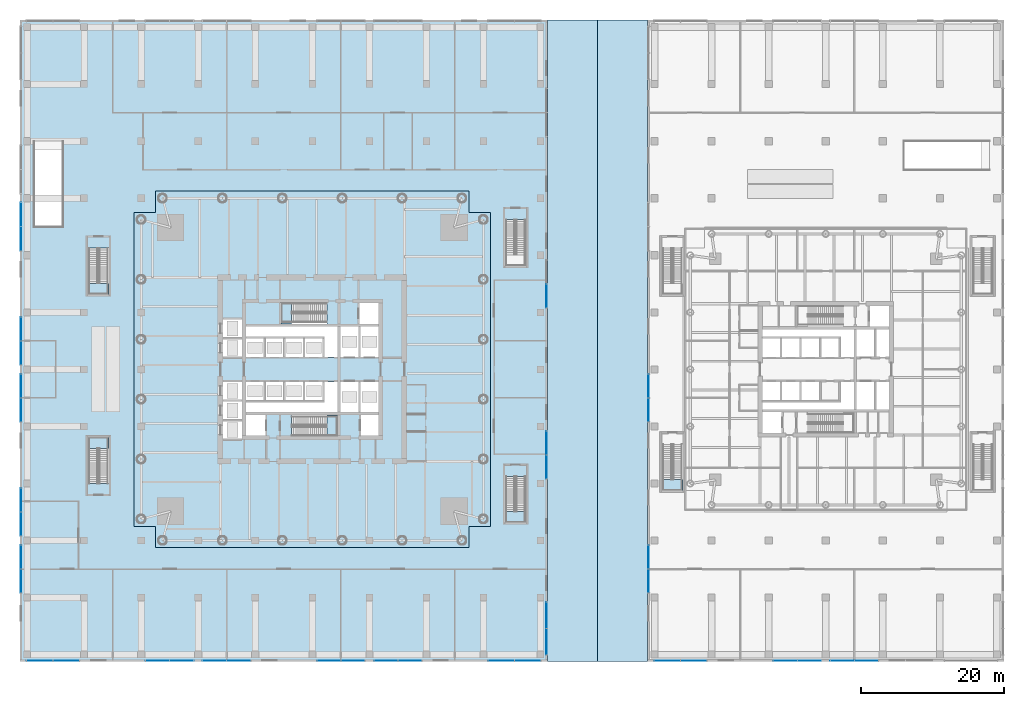
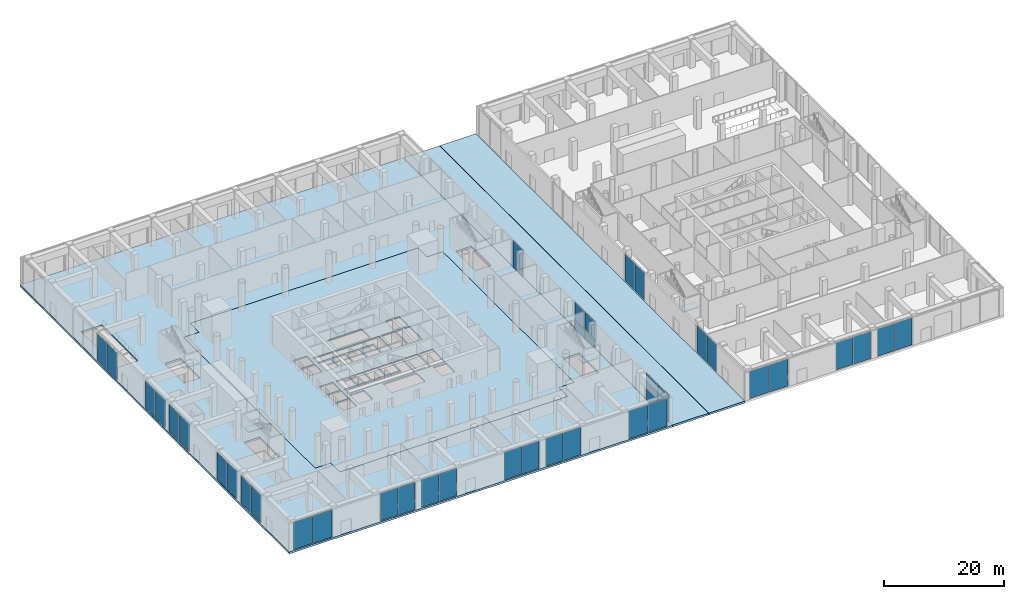
# One storey, part 21 of 39: 37 plates, 10 slabs, 25 elements without a shape of their own.
"""IFC4 building model written with IfcOpenShell, lengths in metres."""

from ifc_helpers import new_model, si_unit, direction, frame, origin, origin_2d, place, context, subcontext, project, spatial, polyline, rectangle, outline, extrude, material, layer, layer_set, type_object, element, aggregate, save


model = new_model("IFC4")

# Units and contexts
model_context = context("Model", 3, precision=1e-05, world=origin(), true_north=direction((0.0, 1.0)))
body_context = subcontext(model_context, "Body", "Model", "MODEL_VIEW")
ifc_project = project(units=[si_unit("LENGTHUNIT", "METRE"), si_unit("AREAUNIT", "SQUARE_METRE"), si_unit("VOLUMEUNIT", "CUBIC_METRE"), si_unit("PLANEANGLEUNIT", "RADIAN"), si_unit("MASSUNIT", "GRAM", prefix="KILO")], contexts=[model_context])

# Site, building, storey
site_placement = place(None, origin())
site = spatial("IfcSite", under=ifc_project, at=site_placement, CompositionType="ELEMENT")
building_placement = place(site_placement, origin())
building = spatial("IfcBuilding", under=site, at=building_placement, Name="Ostroluk Exchange", CompositionType="ELEMENT")
storey_placement = place(building_placement, origin())
storey = spatial("IfcBuildingStorey", under=building, at=storey_placement, Name="L00", CompositionType="ELEMENT", Elevation=0.0)

# Slab
ifc_material_1 = material(Name="Concrete C35/45", Category="concrete")
ifc_layer_1 = layer(ifc_material_1, 0.39990234375)
ifc_layer_set_1 = layer_set([ifc_layer_1], Name="Podium flat slab 400")
slab_type_1 = type_object("IfcSlabType", Name="Podium flat slab 400", PredefinedType="FLOOR", material=ifc_layer_set_1)
slab_1_placement = place(storey_placement, frame((0.0, 0.0, -0.39990234375)))
element("IfcSlab", 1, at=slab_1_placement, inside=storey, type_object=slab_type_1, Name="Podium slab L00", PredefinedType="FLOOR", context=body_context, shape_type="SweptSolid", body=[
    extrude(outline(polyline([(78.0, 95.0), (78.0, 5.0), (4.0, 5.0), (4.0, 95.0), (78.0, 95.0)]), holes=[polyline([(70.0, 24.0), (70.0, 68.0), (67.0, 68.0), (67.0, 71.0), (23.0, 71.0), (23.0, 68.0), (20.0, 68.0), (20.0, 24.0), (23.0, 24.0), (23.0, 21.0), (67.0, 21.0), (67.0, 24.0), (70.0, 24.0)]), polyline([(16.5, 36.5), (13.5, 36.5), (13.5, 30.010009765625), (16.5, 30.010009765625), (16.5, 36.5)]), polyline([(16.5, 56.5), (16.5, 62.989990234375), (13.5, 62.989990234375), (13.5, 56.5), (16.5, 56.5)]), polyline([(72.0, 24.5), (75.0, 24.5), (75.0, 30.989990234375), (72.0, 30.989990234375), (72.0, 24.5)]), polyline([(72.0, 66.989990234375), (72.0, 60.5), (75.0, 60.5), (75.0, 66.989990234375), (72.0, 66.989990234375)]), polyline([(10.0, 78.0), (6.0, 78.0), (6.0, 66.0), (10.0, 66.0), (10.0, 78.0)])]), origin(), (0.0, 0.0, 1.0), 0.39990234375),
])

# Stair, slab
ifc_material_2 = material(Name="Concrete C30/37", Category="concrete")
stair_type = type_object("IfcStairType", Name="Exit stair half turn 6000", PredefinedType="HALF_TURN_STAIR", material=ifc_material_2)
stair_1_placement = place(storey_placement, origin())
stair_1 = element("IfcStair", 2, at=stair_1_placement, inside=storey, type_object=stair_type, Name="Stair T1-S1 L00", PredefinedType="HALF_TURN_STAIR")
ifc_material_3 = material(Name="Concrete C30/37", Category="concrete")
ifc_layer_2 = layer(ifc_material_3, 0.199951171875)
ifc_layer_set_2 = layer_set([ifc_layer_2], Name="Stair landing 200")
slab_type_2 = type_object("IfcSlabType", Name="Stair landing 200", PredefinedType="LANDING", material=ifc_layer_set_2)
slab_2_placement = place(storey_placement, frame((0.0, 0.0, 2.800048828125)))
slab_2 = element("IfcSlab", 3, at=slab_2_placement, type_object=slab_type_2, Name="T1-S1 landing 1", PredefinedType="LANDING", context=body_context, shape_type="SweptSolid", body=[
    extrude(outline(polyline([(47.030029296875, 36.699951171875), (47.030029296875, 39.60009765625), (48.530029296875, 39.60009765625), (48.530029296875, 36.699951171875), (47.030029296875, 36.699951171875)])), origin(), (0.0, 0.0, 1.0), 0.199951171875),
])
aggregate(stair_1, [slab_2])

stair_2_placement = place(storey_placement, origin())
stair_2 = element("IfcStair", 4, at=stair_2_placement, inside=storey, type_object=stair_type, Name="Stair T1-S2 L00", PredefinedType="HALF_TURN_STAIR")
slab_3_placement = place(storey_placement, frame((0.0, 0.0, 2.800048828125)))
slab_3 = element("IfcSlab", 5, at=slab_3_placement, type_object=slab_type_2, Name="T1-S2 landing 1", PredefinedType="LANDING", context=body_context, shape_type="SweptSolid", body=[
    extrude(outline(polyline([(42.10009765625, 52.39990234375), (42.10009765625, 55.300048828125), (40.60009765625, 55.300048828125), (40.60009765625, 52.39990234375), (42.10009765625, 52.39990234375)])), origin(), (0.0, 0.0, 1.0), 0.199951171875),
])
aggregate(stair_2, [slab_3])

stair_3_placement = place(storey_placement, origin())
stair_3 = element("IfcStair", 6, at=stair_3_placement, inside=storey, type_object=stair_type, Name="Stair PS1 L00", PredefinedType="HALF_TURN_STAIR")
slab_4_placement = place(storey_placement, frame((0.0, 0.0, 2.800048828125)))
slab_4 = element("IfcSlab", 7, at=slab_4_placement, type_object=slab_type_2, Name="PS1 landing 1", PredefinedType="LANDING", context=body_context, shape_type="SweptSolid", body=[
    extrude(outline(polyline([(13.5, 34.929931640625), (16.5, 34.929931640625), (16.5, 36.5), (13.5, 36.5), (13.5, 34.929931640625)])), origin(), (0.0, 0.0, 1.0), 0.199951171875),
])
aggregate(stair_3, [slab_4])

stair_4_placement = place(storey_placement, origin())
stair_4 = element("IfcStair", 8, at=stair_4_placement, inside=storey, type_object=stair_type, Name="Stair PS2 L00", PredefinedType="HALF_TURN_STAIR")
slab_5_placement = place(storey_placement, frame((0.0, 0.0, 2.800048828125)))
slab_5 = element("IfcSlab", 9, at=slab_5_placement, type_object=slab_type_2, Name="PS2 landing 1", PredefinedType="LANDING", context=body_context, shape_type="SweptSolid", body=[
    extrude(outline(polyline([(13.5, 58.070068359375), (16.5, 58.070068359375), (16.5, 56.5), (13.5, 56.5), (13.5, 58.070068359375)])), origin(), (0.0, 0.0, 1.0), 0.199951171875),
])
aggregate(stair_4, [slab_5])

stair_5_placement = place(storey_placement, origin())
stair_5 = element("IfcStair", 10, at=stair_5_placement, inside=storey, type_object=stair_type, Name="Stair PS3 L00", PredefinedType="HALF_TURN_STAIR")
slab_6_placement = place(storey_placement, frame((0.0, 0.0, 2.800048828125)))
slab_6 = element("IfcSlab", 11, at=slab_6_placement, type_object=slab_type_2, Name="PS3 landing 1", PredefinedType="LANDING", context=body_context, shape_type="SweptSolid", body=[
    extrude(outline(polyline([(72.0, 26.070068359375), (75.0, 26.070068359375), (75.0, 24.5), (72.0, 24.5), (72.0, 26.070068359375)])), origin(), (0.0, 0.0, 1.0), 0.199951171875),
])
aggregate(stair_5, [slab_6])

stair_6_placement = place(storey_placement, origin())
stair_6 = element("IfcStair", 12, at=stair_6_placement, inside=storey, type_object=stair_type, Name="Stair PS5 L00", PredefinedType="HALF_TURN_STAIR")
slab_7_placement = place(storey_placement, frame((0.0, 0.0, 2.800048828125)))
slab_7 = element("IfcSlab", 13, at=slab_7_placement, type_object=slab_type_2, Name="PS5 landing 1", PredefinedType="LANDING", context=body_context, shape_type="SweptSolid", body=[
    extrude(outline(polyline([(94.0, 30.570068359375), (97.0, 30.570068359375), (97.0, 29.0), (94.0, 29.0), (94.0, 30.570068359375)])), origin(), (0.0, 0.0, 1.0), 0.199951171875),
])
aggregate(stair_6, [slab_7])

# Slabs
ifc_material_4 = material(Name="Concrete C35/45", Category="concrete")
ifc_layer_3 = layer(ifc_material_4, 0.39990234375)
ifc_layer_set_3 = layer_set([ifc_layer_3], Name="Street deck slab 400")
slab_type_3 = type_object("IfcSlabType", Name="Street deck slab 400", PredefinedType="FLOOR", material=ifc_layer_set_3)
slab_8_placement = place(storey_placement, frame((0.0, 0.0, -0.39990234375)))
element("IfcSlab", 14, at=slab_8_placement, inside=storey, type_object=slab_type_3, Name="Pedestrian street deck west", PredefinedType="FLOOR", context=body_context, shape_type="SweptSolid", body=[
    extrude(outline(polyline([(78.0, 5.0), (84.97509765625, 5.0), (84.97509765625, 95.0), (78.0, 95.0), (78.0, 5.0)])), origin(), (0.0, 0.0, 1.0), 0.39990234375),
])
slab_9_placement = place(storey_placement, frame((0.0, 0.0, -0.39990234375)))
element("IfcSlab", 15, at=slab_9_placement, inside=storey, type_object=slab_type_3, Name="Pedestrian street deck east", PredefinedType="FLOOR", context=body_context, shape_type="SweptSolid", body=[
    extrude(outline(polyline([(85.02490234375, 5.0), (92.0, 5.0), (92.0, 95.0), (85.02490234375, 95.0), (85.02490234375, 5.0)])), origin(), (0.0, 0.0, 1.0), 0.39990234375),
])

# Curtain wall, plates
ifc_material_5 = material(Name="Laminated clear glass", Category="glass")
curtain_wall_type = type_object("IfcCurtainWallType", Name="Podium shopfront", PredefinedType="USERDEFINED", material=ifc_material_5)
curtain_wall_1_placement = place(storey_placement, origin())
curtain_wall_1 = element("IfcCurtainWall", 16, at=curtain_wall_1_placement, inside=storey, type_object=curtain_wall_type, Name="Podium west S shopfront 1", ObjectType="STICK SHOPFRONT", PredefinedType="USERDEFINED")
ifc_material_6 = material(Name="Laminated clear glass", Category="glass")
ifc_layer_4 = layer(ifc_material_6, 0.02392578125)
ifc_layer_set_4 = layer_set([ifc_layer_4], Name="Toughened laminated shopfront glass 24")
plate_type = type_object("IfcPlateType", Name="Toughened laminated shopfront glass 24", PredefinedType="CURTAIN_PANEL", material=ifc_layer_set_4)
plate_1_placement = place(storey_placement, frame((6.7900390625, 5.14990234375, 0.06005859375), z_axis=(0.0, 0.0, 1.0), x_axis=(1.0, 0.0, 0.0)))
plate_1 = element("IfcPlate", 17, at=plate_1_placement, type_object=plate_type, Name="CW-SF1 panel 1.1", PredefinedType="CURTAIN_PANEL", context=body_context, shape_type="SweptSolid", body=[
    extrude(rectangle(XDim=3.659912109375, YDim=0.02392578125, at=origin_2d()), origin(), (0.0, 0.0, 1.0), 5.580078125),
])
plate_2_placement = place(storey_placement, frame((10.510009765625, 5.14990234375, 0.06005859375), z_axis=(0.0, 0.0, 1.0), x_axis=(1.0, 0.0, 0.0)))
plate_2 = element("IfcPlate", 18, at=plate_2_placement, type_object=plate_type, Name="CW-SF1 panel 2.1", PredefinedType="CURTAIN_PANEL", context=body_context, shape_type="SweptSolid", body=[
    extrude(rectangle(XDim=3.659912109375, YDim=0.02392578125, at=origin_2d()), origin(), (0.0, 0.0, 1.0), 5.580078125),
])
aggregate(curtain_wall_1, [plate_1, plate_2])

curtain_wall_2_placement = place(storey_placement, origin())
curtain_wall_2 = element("IfcCurtainWall", 19, at=curtain_wall_2_placement, inside=storey, type_object=curtain_wall_type, Name="Podium west S shopfront 2", ObjectType="STICK SHOPFRONT", PredefinedType="USERDEFINED")
plate_3_placement = place(storey_placement, frame((23.31494140625, 5.14990234375, 0.06005859375), z_axis=(0.0, 0.0, 1.0), x_axis=(1.0, 0.0, 0.0)))
plate_3 = element("IfcPlate", 20, at=plate_3_placement, type_object=plate_type, Name="CW-SF1 panel 1.1", PredefinedType="CURTAIN_PANEL", context=body_context, shape_type="SweptSolid", body=[
    extrude(rectangle(XDim=3.31005859375, YDim=0.02392578125, at=origin_2d()), origin(), (0.0, 0.0, 1.0), 5.580078125),
])
plate_4_placement = place(storey_placement, frame((26.68505859375, 5.14990234375, 0.06005859375), z_axis=(0.0, 0.0, 1.0), x_axis=(1.0, 0.0, 0.0)))
plate_4 = element("IfcPlate", 21, at=plate_4_placement, type_object=plate_type, Name="CW-SF1 panel 2.1", PredefinedType="CURTAIN_PANEL", context=body_context, shape_type="SweptSolid", body=[
    extrude(rectangle(XDim=3.31005859375, YDim=0.02392578125, at=origin_2d()), origin(), (0.0, 0.0, 1.0), 5.580078125),
])
aggregate(curtain_wall_2, [plate_3, plate_4])

curtain_wall_3_placement = place(storey_placement, origin())
curtain_wall_3 = element("IfcCurtainWall", 22, at=curtain_wall_3_placement, inside=storey, type_object=curtain_wall_type, Name="Podium west S shopfront 3", ObjectType="STICK SHOPFRONT", PredefinedType="USERDEFINED")
plate_5_placement = place(storey_placement, frame((31.31494140625, 5.14990234375, 0.06005859375), z_axis=(0.0, 0.0, 1.0), x_axis=(1.0, 0.0, 0.0)))
plate_5 = element("IfcPlate", 23, at=plate_5_placement, type_object=plate_type, Name="CW-SF1 panel 1.1", PredefinedType="CURTAIN_PANEL", context=body_context, shape_type="SweptSolid", body=[
    extrude(rectangle(XDim=3.31005859375, YDim=0.02392578125, at=origin_2d()), origin(), (0.0, 0.0, 1.0), 5.580078125),
])
plate_6_placement = place(storey_placement, frame((34.68505859375, 5.14990234375, 0.06005859375), z_axis=(0.0, 0.0, 1.0), x_axis=(1.0, 0.0, 0.0)))
plate_6 = element("IfcPlate", 24, at=plate_6_placement, type_object=plate_type, Name="CW-SF1 panel 2.1", PredefinedType="CURTAIN_PANEL", context=body_context, shape_type="SweptSolid", body=[
    extrude(rectangle(XDim=3.31005859375, YDim=0.02392578125, at=origin_2d()), origin(), (0.0, 0.0, 1.0), 5.580078125),
])
aggregate(curtain_wall_3, [plate_5, plate_6])

curtain_wall_4_placement = place(storey_placement, origin())
curtain_wall_4 = element("IfcCurtainWall", 25, at=curtain_wall_4_placement, inside=storey, type_object=curtain_wall_type, Name="Podium west S shopfront 4", ObjectType="STICK SHOPFRONT", PredefinedType="USERDEFINED")
plate_7_placement = place(storey_placement, frame((47.31494140625, 5.14990234375, 0.06005859375), z_axis=(0.0, 0.0, 1.0), x_axis=(1.0, 0.0, 0.0)))
plate_7 = element("IfcPlate", 26, at=plate_7_placement, type_object=plate_type, Name="CW-SF1 panel 1.1", PredefinedType="CURTAIN_PANEL", context=body_context, shape_type="SweptSolid", body=[
    extrude(rectangle(XDim=3.31005859375, YDim=0.02392578125, at=origin_2d()), origin(), (0.0, 0.0, 1.0), 5.580078125),
])
plate_8_placement = place(storey_placement, frame((50.68505859375, 5.14990234375, 0.06005859375), z_axis=(0.0, 0.0, 1.0), x_axis=(1.0, 0.0, 0.0)))
plate_8 = element("IfcPlate", 27, at=plate_8_placement, type_object=plate_type, Name="CW-SF1 panel 2.1", PredefinedType="CURTAIN_PANEL", context=body_context, shape_type="SweptSolid", body=[
    extrude(rectangle(XDim=3.31005859375, YDim=0.02392578125, at=origin_2d()), origin(), (0.0, 0.0, 1.0), 5.580078125),
])
aggregate(curtain_wall_4, [plate_7, plate_8])

curtain_wall_5_placement = place(storey_placement, origin())
curtain_wall_5 = element("IfcCurtainWall", 28, at=curtain_wall_5_placement, inside=storey, type_object=curtain_wall_type, Name="Podium west S shopfront 5", ObjectType="STICK SHOPFRONT", PredefinedType="USERDEFINED")
plate_9_placement = place(storey_placement, frame((55.31494140625, 5.14990234375, 0.06005859375), z_axis=(0.0, 0.0, 1.0), x_axis=(1.0, 0.0, 0.0)))
plate_9 = element("IfcPlate", 29, at=plate_9_placement, type_object=plate_type, Name="CW-SF1 panel 1.1", PredefinedType="CURTAIN_PANEL", context=body_context, shape_type="SweptSolid", body=[
    extrude(rectangle(XDim=3.31005859375, YDim=0.02392578125, at=origin_2d()), origin(), (0.0, 0.0, 1.0), 5.580078125),
])
plate_10_placement = place(storey_placement, frame((58.68505859375, 5.14990234375, 0.06005859375), z_axis=(0.0, 0.0, 1.0), x_axis=(1.0, 0.0, 0.0)))
plate_10 = element("IfcPlate", 30, at=plate_10_placement, type_object=plate_type, Name="CW-SF1 panel 2.1", PredefinedType="CURTAIN_PANEL", context=body_context, shape_type="SweptSolid", body=[
    extrude(rectangle(XDim=3.31005859375, YDim=0.02392578125, at=origin_2d()), origin(), (0.0, 0.0, 1.0), 5.580078125),
])
aggregate(curtain_wall_5, [plate_9, plate_10])

curtain_wall_6_placement = place(storey_placement, origin())
curtain_wall_6 = element("IfcCurtainWall", 31, at=curtain_wall_6_placement, inside=storey, type_object=curtain_wall_type, Name="Podium west S shopfront 6", ObjectType="STICK SHOPFRONT", PredefinedType="USERDEFINED")
plate_11_placement = place(storey_placement, frame((71.489990234375, 5.14990234375, 0.06005859375), z_axis=(0.0, 0.0, 1.0), x_axis=(1.0, 0.0, 0.0)))
plate_11 = element("IfcPlate", 32, at=plate_11_placement, type_object=plate_type, Name="CW-SF1 panel 1.1", PredefinedType="CURTAIN_PANEL", context=body_context, shape_type="SweptSolid", body=[
    extrude(rectangle(XDim=3.659912109375, YDim=0.02392578125, at=origin_2d()), origin(), (0.0, 0.0, 1.0), 5.580078125),
])
plate_12_placement = place(storey_placement, frame((75.2099609375, 5.14990234375, 0.06005859375), z_axis=(0.0, 0.0, 1.0), x_axis=(1.0, 0.0, 0.0)))
plate_12 = element("IfcPlate", 33, at=plate_12_placement, type_object=plate_type, Name="CW-SF1 panel 2.1", PredefinedType="CURTAIN_PANEL", context=body_context, shape_type="SweptSolid", body=[
    extrude(rectangle(XDim=3.659912109375, YDim=0.02392578125, at=origin_2d()), origin(), (0.0, 0.0, 1.0), 5.580078125),
])
aggregate(curtain_wall_6, [plate_11, plate_12])

curtain_wall_7_placement = place(storey_placement, origin())
curtain_wall_7 = element("IfcCurtainWall", 34, at=curtain_wall_7_placement, inside=storey, type_object=curtain_wall_type, Name="Podium west E shopfront 1", ObjectType="STICK SHOPFRONT", PredefinedType="USERDEFINED")
plate_13_placement = place(storey_placement, frame((77.85009765625, 7.7900390625, 0.06005859375), z_axis=(0.0, 0.0, 1.0), x_axis=(0.0, 1.0, 0.0)))
plate_13 = element("IfcPlate", 35, at=plate_13_placement, type_object=plate_type, Name="CW-SF1 panel 1.1", PredefinedType="CURTAIN_PANEL", context=body_context, shape_type="SweptSolid", body=[
    extrude(rectangle(XDim=3.659912109375, YDim=0.02392578125, at=origin_2d()), origin(), (0.0, 0.0, 1.0), 5.580078125),
])
plate_14_placement = place(storey_placement, frame((77.85009765625, 11.510009765625, 0.06005859375), z_axis=(0.0, 0.0, 1.0), x_axis=(0.0, 1.0, 0.0)))
plate_14 = element("IfcPlate", 36, at=plate_14_placement, type_object=plate_type, Name="CW-SF1 panel 2.1", PredefinedType="CURTAIN_PANEL", context=body_context, shape_type="SweptSolid", body=[
    extrude(rectangle(XDim=3.659912109375, YDim=0.02392578125, at=origin_2d()), origin(), (0.0, 0.0, 1.0), 5.580078125),
])
aggregate(curtain_wall_7, [plate_13, plate_14])

curtain_wall_8_placement = place(storey_placement, origin())
curtain_wall_8 = element("IfcCurtainWall", 37, at=curtain_wall_8_placement, inside=storey, type_object=curtain_wall_type, Name="Podium west E shopfront 2", ObjectType="STICK SHOPFRONT", PredefinedType="USERDEFINED")
plate_15_placement = place(storey_placement, frame((77.85009765625, 32.31494140625, 0.06005859375), z_axis=(0.0, 0.0, 1.0), x_axis=(0.0, 1.0, 0.0)))
plate_15 = element("IfcPlate", 38, at=plate_15_placement, type_object=plate_type, Name="CW-SF1 panel 1.1", PredefinedType="CURTAIN_PANEL", context=body_context, shape_type="SweptSolid", body=[
    extrude(rectangle(XDim=3.31005859375, YDim=0.02392578125, at=origin_2d()), origin(), (0.0, 0.0, 1.0), 5.580078125),
])
plate_16_placement = place(storey_placement, frame((77.85009765625, 35.68505859375, 0.06005859375), z_axis=(0.0, 0.0, 1.0), x_axis=(0.0, 1.0, 0.0)))
plate_16 = element("IfcPlate", 39, at=plate_16_placement, type_object=plate_type, Name="CW-SF1 panel 2.1", PredefinedType="CURTAIN_PANEL", context=body_context, shape_type="SweptSolid", body=[
    extrude(rectangle(XDim=3.31005859375, YDim=0.02392578125, at=origin_2d()), origin(), (0.0, 0.0, 1.0), 5.580078125),
])
aggregate(curtain_wall_8, [plate_15, plate_16])

# Curtain wall, plate
curtain_wall_9_placement = place(storey_placement, origin())
curtain_wall_9 = element("IfcCurtainWall", 40, at=curtain_wall_9_placement, inside=storey, type_object=curtain_wall_type, Name="Podium west E shopfront 3", ObjectType="STICK SHOPFRONT", PredefinedType="USERDEFINED")
plate_17_placement = place(storey_placement, frame((77.85009765625, 56.31494140625, 0.06005859375), z_axis=(0.0, 0.0, 1.0), x_axis=(0.0, 1.0, 0.0)))
plate_17 = element("IfcPlate", 41, at=plate_17_placement, type_object=plate_type, Name="CW-SF1 panel 1.1", PredefinedType="CURTAIN_PANEL", context=body_context, shape_type="SweptSolid", body=[
    extrude(rectangle(XDim=3.31005859375, YDim=0.02392578125, at=origin_2d()), origin(), (0.0, 0.0, 1.0), 5.580078125),
])
aggregate(curtain_wall_9, [plate_17])

# Curtain wall, plates
curtain_wall_10_placement = place(storey_placement, origin())
curtain_wall_10 = element("IfcCurtainWall", 42, at=curtain_wall_10_placement, inside=storey, type_object=curtain_wall_type, Name="Podium west W shopfront 3", ObjectType="STICK SHOPFRONT", PredefinedType="USERDEFINED")
plate_18_placement = place(storey_placement, frame((4.14990234375, 67.68505859375, 0.06005859375), z_axis=(0.0, 0.0, 1.0), x_axis=(0.0, -1.0, 0.0)))
plate_18 = element("IfcPlate", 43, at=plate_18_placement, type_object=plate_type, Name="CW-SF1 panel 1.1", PredefinedType="CURTAIN_PANEL", context=body_context, shape_type="SweptSolid", body=[
    extrude(rectangle(XDim=3.31005859375, YDim=0.02392578125, at=origin_2d()), origin(), (0.0, 0.0, 1.0), 5.580078125),
])
plate_19_placement = place(storey_placement, frame((4.14990234375, 64.31494140625, 0.06005859375), z_axis=(0.0, 0.0, 1.0), x_axis=(0.0, -1.0, 0.0)))
plate_19 = element("IfcPlate", 44, at=plate_19_placement, type_object=plate_type, Name="CW-SF1 panel 2.1", PredefinedType="CURTAIN_PANEL", context=body_context, shape_type="SweptSolid", body=[
    extrude(rectangle(XDim=3.31005859375, YDim=0.02392578125, at=origin_2d()), origin(), (0.0, 0.0, 1.0), 5.580078125),
])
aggregate(curtain_wall_10, [plate_18, plate_19])

curtain_wall_11_placement = place(storey_placement, origin())
curtain_wall_11 = element("IfcCurtainWall", 45, at=curtain_wall_11_placement, inside=storey, type_object=curtain_wall_type, Name="Podium west W shopfront 4", ObjectType="STICK SHOPFRONT", PredefinedType="USERDEFINED")
plate_20_placement = place(storey_placement, frame((4.14990234375, 51.68505859375, 0.06005859375), z_axis=(0.0, 0.0, 1.0), x_axis=(0.0, -1.0, 0.0)))
plate_20 = element("IfcPlate", 46, at=plate_20_placement, type_object=plate_type, Name="CW-SF1 panel 1.1", PredefinedType="CURTAIN_PANEL", context=body_context, shape_type="SweptSolid", body=[
    extrude(rectangle(XDim=3.31005859375, YDim=0.02392578125, at=origin_2d()), origin(), (0.0, 0.0, 1.0), 5.580078125),
])
plate_21_placement = place(storey_placement, frame((4.14990234375, 48.31494140625, 0.06005859375), z_axis=(0.0, 0.0, 1.0), x_axis=(0.0, -1.0, 0.0)))
plate_21 = element("IfcPlate", 47, at=plate_21_placement, type_object=plate_type, Name="CW-SF1 panel 2.1", PredefinedType="CURTAIN_PANEL", context=body_context, shape_type="SweptSolid", body=[
    extrude(rectangle(XDim=3.31005859375, YDim=0.02392578125, at=origin_2d()), origin(), (0.0, 0.0, 1.0), 5.580078125),
])
aggregate(curtain_wall_11, [plate_20, plate_21])

curtain_wall_12_placement = place(storey_placement, origin())
curtain_wall_12 = element("IfcCurtainWall", 48, at=curtain_wall_12_placement, inside=storey, type_object=curtain_wall_type, Name="Podium west W shopfront 5", ObjectType="STICK SHOPFRONT", PredefinedType="USERDEFINED")
plate_22_placement = place(storey_placement, frame((4.14990234375, 43.68505859375, 0.06005859375), z_axis=(0.0, 0.0, 1.0), x_axis=(0.0, -1.0, 0.0)))
plate_22 = element("IfcPlate", 49, at=plate_22_placement, type_object=plate_type, Name="CW-SF1 panel 1.1", PredefinedType="CURTAIN_PANEL", context=body_context, shape_type="SweptSolid", body=[
    extrude(rectangle(XDim=3.31005859375, YDim=0.02392578125, at=origin_2d()), origin(), (0.0, 0.0, 1.0), 5.580078125),
])
plate_23_placement = place(storey_placement, frame((4.14990234375, 40.31494140625, 0.06005859375), z_axis=(0.0, 0.0, 1.0), x_axis=(0.0, -1.0, 0.0)))
plate_23 = element("IfcPlate", 50, at=plate_23_placement, type_object=plate_type, Name="CW-SF1 panel 2.1", PredefinedType="CURTAIN_PANEL", context=body_context, shape_type="SweptSolid", body=[
    extrude(rectangle(XDim=3.31005859375, YDim=0.02392578125, at=origin_2d()), origin(), (0.0, 0.0, 1.0), 5.580078125),
])
aggregate(curtain_wall_12, [plate_22, plate_23])

curtain_wall_13_placement = place(storey_placement, origin())
curtain_wall_13 = element("IfcCurtainWall", 51, at=curtain_wall_13_placement, inside=storey, type_object=curtain_wall_type, Name="Podium west W shopfront 6", ObjectType="STICK SHOPFRONT", PredefinedType="USERDEFINED")
plate_24_placement = place(storey_placement, frame((4.14990234375, 27.68505859375, 0.06005859375), z_axis=(0.0, 0.0, 1.0), x_axis=(0.0, -1.0, 0.0)))
plate_24 = element("IfcPlate", 52, at=plate_24_placement, type_object=plate_type, Name="CW-SF1 panel 1.1", PredefinedType="CURTAIN_PANEL", context=body_context, shape_type="SweptSolid", body=[
    extrude(rectangle(XDim=3.31005859375, YDim=0.02392578125, at=origin_2d()), origin(), (0.0, 0.0, 1.0), 5.580078125),
])
plate_25_placement = place(storey_placement, frame((4.14990234375, 24.31494140625, 0.06005859375), z_axis=(0.0, 0.0, 1.0), x_axis=(0.0, -1.0, 0.0)))
plate_25 = element("IfcPlate", 53, at=plate_25_placement, type_object=plate_type, Name="CW-SF1 panel 2.1", PredefinedType="CURTAIN_PANEL", context=body_context, shape_type="SweptSolid", body=[
    extrude(rectangle(XDim=3.31005859375, YDim=0.02392578125, at=origin_2d()), origin(), (0.0, 0.0, 1.0), 5.580078125),
])
aggregate(curtain_wall_13, [plate_24, plate_25])

curtain_wall_14_placement = place(storey_placement, origin())
curtain_wall_14 = element("IfcCurtainWall", 54, at=curtain_wall_14_placement, inside=storey, type_object=curtain_wall_type, Name="Podium west W shopfront 7", ObjectType="STICK SHOPFRONT", PredefinedType="USERDEFINED")
plate_26_placement = place(storey_placement, frame((4.14990234375, 19.68505859375, 0.06005859375), z_axis=(0.0, 0.0, 1.0), x_axis=(0.0, -1.0, 0.0)))
plate_26 = element("IfcPlate", 55, at=plate_26_placement, type_object=plate_type, Name="CW-SF1 panel 1.1", PredefinedType="CURTAIN_PANEL", context=body_context, shape_type="SweptSolid", body=[
    extrude(rectangle(XDim=3.31005859375, YDim=0.02392578125, at=origin_2d()), origin(), (0.0, 0.0, 1.0), 5.580078125),
])
plate_27_placement = place(storey_placement, frame((4.14990234375, 16.31494140625, 0.06005859375), z_axis=(0.0, 0.0, 1.0), x_axis=(0.0, -1.0, 0.0)))
plate_27 = element("IfcPlate", 56, at=plate_27_placement, type_object=plate_type, Name="CW-SF1 panel 2.1", PredefinedType="CURTAIN_PANEL", context=body_context, shape_type="SweptSolid", body=[
    extrude(rectangle(XDim=3.31005859375, YDim=0.02392578125, at=origin_2d()), origin(), (0.0, 0.0, 1.0), 5.580078125),
])
aggregate(curtain_wall_14, [plate_26, plate_27])

curtain_wall_15_placement = place(storey_placement, origin())
curtain_wall_15 = element("IfcCurtainWall", 57, at=curtain_wall_15_placement, inside=storey, type_object=curtain_wall_type, Name="Podium east S shopfront 1", ObjectType="STICK SHOPFRONT", PredefinedType="USERDEFINED")
plate_28_placement = place(storey_placement, frame((94.7900390625, 5.14990234375, 0.06005859375), z_axis=(0.0, 0.0, 1.0), x_axis=(1.0, 0.0, 0.0)))
plate_28 = element("IfcPlate", 58, at=plate_28_placement, type_object=plate_type, Name="CW-SF1 panel 1.1", PredefinedType="CURTAIN_PANEL", context=body_context, shape_type="SweptSolid", body=[
    extrude(rectangle(XDim=3.659912109375, YDim=0.02392578125, at=origin_2d()), origin(), (0.0, 0.0, 1.0), 5.580078125),
])
plate_29_placement = place(storey_placement, frame((98.510009765625, 5.14990234375, 0.06005859375), z_axis=(0.0, 0.0, 1.0), x_axis=(1.0, 0.0, 0.0)))
plate_29 = element("IfcPlate", 59, at=plate_29_placement, type_object=plate_type, Name="CW-SF1 panel 2.1", PredefinedType="CURTAIN_PANEL", context=body_context, shape_type="SweptSolid", body=[
    extrude(rectangle(XDim=3.659912109375, YDim=0.02392578125, at=origin_2d()), origin(), (0.0, 0.0, 1.0), 5.580078125),
])
aggregate(curtain_wall_15, [plate_28, plate_29])

curtain_wall_16_placement = place(storey_placement, origin())
curtain_wall_16 = element("IfcCurtainWall", 60, at=curtain_wall_16_placement, inside=storey, type_object=curtain_wall_type, Name="Podium east S shopfront 2", ObjectType="STICK SHOPFRONT", PredefinedType="USERDEFINED")
plate_30_placement = place(storey_placement, frame((111.31494140625, 5.14990234375, 0.06005859375), z_axis=(0.0, 0.0, 1.0), x_axis=(1.0, 0.0, 0.0)))
plate_30 = element("IfcPlate", 61, at=plate_30_placement, type_object=plate_type, Name="CW-SF1 panel 1.1", PredefinedType="CURTAIN_PANEL", context=body_context, shape_type="SweptSolid", body=[
    extrude(rectangle(XDim=3.31005859375, YDim=0.02392578125, at=origin_2d()), origin(), (0.0, 0.0, 1.0), 5.580078125),
])
plate_31_placement = place(storey_placement, frame((114.68505859375, 5.14990234375, 0.06005859375), z_axis=(0.0, 0.0, 1.0), x_axis=(1.0, 0.0, 0.0)))
plate_31 = element("IfcPlate", 62, at=plate_31_placement, type_object=plate_type, Name="CW-SF1 panel 2.1", PredefinedType="CURTAIN_PANEL", context=body_context, shape_type="SweptSolid", body=[
    extrude(rectangle(XDim=3.31005859375, YDim=0.02392578125, at=origin_2d()), origin(), (0.0, 0.0, 1.0), 5.580078125),
])
aggregate(curtain_wall_16, [plate_30, plate_31])

curtain_wall_17_placement = place(storey_placement, origin())
curtain_wall_17 = element("IfcCurtainWall", 63, at=curtain_wall_17_placement, inside=storey, type_object=curtain_wall_type, Name="Podium east S shopfront 3", ObjectType="STICK SHOPFRONT", PredefinedType="USERDEFINED")
plate_32_placement = place(storey_placement, frame((119.31494140625, 5.14990234375, 0.06005859375), z_axis=(0.0, 0.0, 1.0), x_axis=(1.0, 0.0, 0.0)))
plate_32 = element("IfcPlate", 64, at=plate_32_placement, type_object=plate_type, Name="CW-SF1 panel 1.1", PredefinedType="CURTAIN_PANEL", context=body_context, shape_type="SweptSolid", body=[
    extrude(rectangle(XDim=3.31005859375, YDim=0.02392578125, at=origin_2d()), origin(), (0.0, 0.0, 1.0), 5.580078125),
])
plate_33_placement = place(storey_placement, frame((122.68505859375, 5.14990234375, 0.06005859375), z_axis=(0.0, 0.0, 1.0), x_axis=(1.0, 0.0, 0.0)))
plate_33 = element("IfcPlate", 65, at=plate_33_placement, type_object=plate_type, Name="CW-SF1 panel 2.1", PredefinedType="CURTAIN_PANEL", context=body_context, shape_type="SweptSolid", body=[
    extrude(rectangle(XDim=3.31005859375, YDim=0.02392578125, at=origin_2d()), origin(), (0.0, 0.0, 1.0), 5.580078125),
])
aggregate(curtain_wall_17, [plate_32, plate_33])

curtain_wall_18_placement = place(storey_placement, origin())
curtain_wall_18 = element("IfcCurtainWall", 66, at=curtain_wall_18_placement, inside=storey, type_object=curtain_wall_type, Name="Podium east W shopfront 3", ObjectType="STICK SHOPFRONT", PredefinedType="USERDEFINED")
plate_34_placement = place(storey_placement, frame((92.14990234375, 43.68505859375, 0.06005859375), z_axis=(0.0, 0.0, 1.0), x_axis=(0.0, -1.0, 0.0)))
plate_34 = element("IfcPlate", 67, at=plate_34_placement, type_object=plate_type, Name="CW-SF1 panel 1.1", PredefinedType="CURTAIN_PANEL", context=body_context, shape_type="SweptSolid", body=[
    extrude(rectangle(XDim=3.31005859375, YDim=0.02392578125, at=origin_2d()), origin(), (0.0, 0.0, 1.0), 5.580078125),
])
plate_35_placement = place(storey_placement, frame((92.14990234375, 40.31494140625, 0.06005859375), z_axis=(0.0, 0.0, 1.0), x_axis=(0.0, -1.0, 0.0)))
plate_35 = element("IfcPlate", 68, at=plate_35_placement, type_object=plate_type, Name="CW-SF1 panel 2.1", PredefinedType="CURTAIN_PANEL", context=body_context, shape_type="SweptSolid", body=[
    extrude(rectangle(XDim=3.31005859375, YDim=0.02392578125, at=origin_2d()), origin(), (0.0, 0.0, 1.0), 5.580078125),
])
aggregate(curtain_wall_18, [plate_34, plate_35])

curtain_wall_19_placement = place(storey_placement, origin())
curtain_wall_19 = element("IfcCurtainWall", 69, at=curtain_wall_19_placement, inside=storey, type_object=curtain_wall_type, Name="Podium east W shopfront 4", ObjectType="STICK SHOPFRONT", PredefinedType="USERDEFINED")
plate_36_placement = place(storey_placement, frame((92.14990234375, 19.68505859375, 0.06005859375), z_axis=(0.0, 0.0, 1.0), x_axis=(0.0, -1.0, 0.0)))
plate_36 = element("IfcPlate", 70, at=plate_36_placement, type_object=plate_type, Name="CW-SF1 panel 1.1", PredefinedType="CURTAIN_PANEL", context=body_context, shape_type="SweptSolid", body=[
    extrude(rectangle(XDim=3.31005859375, YDim=0.02392578125, at=origin_2d()), origin(), (0.0, 0.0, 1.0), 5.580078125),
])
plate_37_placement = place(storey_placement, frame((92.14990234375, 16.31494140625, 0.06005859375), z_axis=(0.0, 0.0, 1.0), x_axis=(0.0, -1.0, 0.0)))
plate_37 = element("IfcPlate", 71, at=plate_37_placement, type_object=plate_type, Name="CW-SF1 panel 2.1", PredefinedType="CURTAIN_PANEL", context=body_context, shape_type="SweptSolid", body=[
    extrude(rectangle(XDim=3.31005859375, YDim=0.02392578125, at=origin_2d()), origin(), (0.0, 0.0, 1.0), 5.580078125),
])
aggregate(curtain_wall_19, [plate_36, plate_37])

# Slab
ifc_material_7 = material(Name="Concrete C35/45", Category="concrete")
ifc_layer_5 = layer(ifc_material_7, 0.300048828125)
ifc_layer_set_5 = layer_set([ifc_layer_5], Name="Tower floor slab 300")
slab_type_4 = type_object("IfcSlabType", Name="Tower floor slab 300", PredefinedType="FLOOR", material=ifc_layer_set_5)
slab_10_placement = place(storey_placement, frame((0.0, 0.0, -0.300048828125)))
element("IfcSlab", 72, at=slab_10_placement, inside=storey, type_object=slab_type_4, Name="Office tower floor slab L00", PredefinedType="FLOOR", context=body_context, shape_type="SweptSolid", body=[
    extrude(outline(polyline([(23.0, 21.0), (67.0, 21.0), (67.0, 24.0), (70.0, 24.0), (70.0, 68.0), (67.0, 68.0), (67.0, 71.0), (23.0, 71.0), (23.0, 68.0), (20.0, 68.0), (20.0, 24.0), (23.0, 24.0), (23.0, 21.0)]), holes=[polyline([(35.699951171875, 36.699951171875), (38.39990234375, 36.699951171875), (38.39990234375, 39.60009765625), (35.699951171875, 39.60009765625), (35.699951171875, 36.699951171875)]), polyline([(42.110107421875, 36.699951171875), (48.530029296875, 36.699951171875), (48.530029296875, 39.60009765625), (42.110107421875, 39.60009765625), (42.110107421875, 36.699951171875)]), polyline([(51.800048828125, 36.699951171875), (54.300048828125, 36.699951171875), (54.300048828125, 39.60009765625), (51.800048828125, 39.60009765625), (51.800048828125, 36.699951171875)]), polyline([(40.60009765625, 52.39990234375), (47.02001953125, 52.39990234375), (47.02001953125, 55.300048828125), (40.60009765625, 55.300048828125), (40.60009765625, 52.39990234375)]), polyline([(51.60009765625, 52.39990234375), (54.300048828125, 52.39990234375), (54.300048828125, 55.300048828125), (51.60009765625, 55.300048828125), (51.60009765625, 52.39990234375)]), polyline([(35.699951171875, 47.75), (38.199951171875, 47.75), (38.199951171875, 50.35009765625), (35.699951171875, 50.35009765625), (35.699951171875, 47.75)]), polyline([(38.449951171875, 47.75), (40.949951171875, 47.75), (40.949951171875, 50.35009765625), (38.449951171875, 50.35009765625), (38.449951171875, 47.75)]), polyline([(41.199951171875, 47.75), (43.699951171875, 47.75), (43.699951171875, 50.35009765625), (41.199951171875, 50.35009765625), (41.199951171875, 47.75)]), polyline([(43.949951171875, 47.75), (46.449951171875, 47.75), (46.449951171875, 50.35009765625), (43.949951171875, 50.35009765625), (43.949951171875, 47.75)]), polyline([(35.699951171875, 41.64990234375), (38.199951171875, 41.64990234375), (38.199951171875, 44.25), (35.699951171875, 44.25), (35.699951171875, 41.64990234375)]), polyline([(38.449951171875, 41.64990234375), (40.949951171875, 41.64990234375), (40.949951171875, 44.25), (38.449951171875, 44.25), (38.449951171875, 41.64990234375)]), polyline([(41.199951171875, 41.64990234375), (43.699951171875, 41.64990234375), (43.699951171875, 44.25), (41.199951171875, 44.25), (41.199951171875, 41.64990234375)]), polyline([(43.949951171875, 41.64990234375), (46.449951171875, 41.64990234375), (46.449951171875, 44.25), (43.949951171875, 44.25), (43.949951171875, 41.64990234375)]), polyline([(48.929931640625, 47.75), (51.489990234375, 47.75), (51.489990234375, 52.0), (48.929931640625, 52.0), (48.929931640625, 47.75)]), polyline([(51.739990234375, 47.75), (54.300048828125, 47.75), (54.300048828125, 52.0), (51.739990234375, 52.0), (51.739990234375, 47.75)]), polyline([(48.929931640625, 40.0), (51.489990234375, 40.0), (51.489990234375, 44.25), (48.929931640625, 44.25), (48.929931640625, 40.0)]), polyline([(51.739990234375, 40.0), (54.300048828125, 40.0), (54.300048828125, 44.25), (51.739990234375, 44.25), (51.739990234375, 40.0)]), polyline([(48.530029296875, 52.0), (48.530029296875, 47.75), (46.699951171875, 47.75), (46.699951171875, 50.60009765625), (35.699951171875, 50.60009765625), (35.699951171875, 52.0), (48.530029296875, 52.0)]), polyline([(35.699951171875, 40.0), (35.699951171875, 41.39990234375), (46.699951171875, 41.39990234375), (46.699951171875, 44.25), (48.530029296875, 44.25), (48.530029296875, 40.0), (35.699951171875, 40.0)]), polyline([(32.5, 36.25), (35.10009765625, 36.25), (35.10009765625, 38.75), (32.5, 38.75), (32.5, 36.25)]), polyline([(32.5, 39.0), (35.10009765625, 39.0), (35.10009765625, 41.5), (32.5, 41.5), (32.5, 39.0)]), polyline([(32.5, 41.75), (35.10009765625, 41.75), (35.10009765625, 44.25), (32.5, 44.25), (32.5, 41.75)]), polyline([(32.5, 47.75), (35.10009765625, 47.75), (35.10009765625, 50.25), (32.5, 50.25), (32.5, 47.75)]), polyline([(32.5, 50.5), (35.10009765625, 50.5), (35.10009765625, 53.0), (32.5, 53.0), (32.5, 50.5)])]), origin(), (0.0, 0.0, 1.0), 0.300048828125),
])

save(model, "model.ifc")
